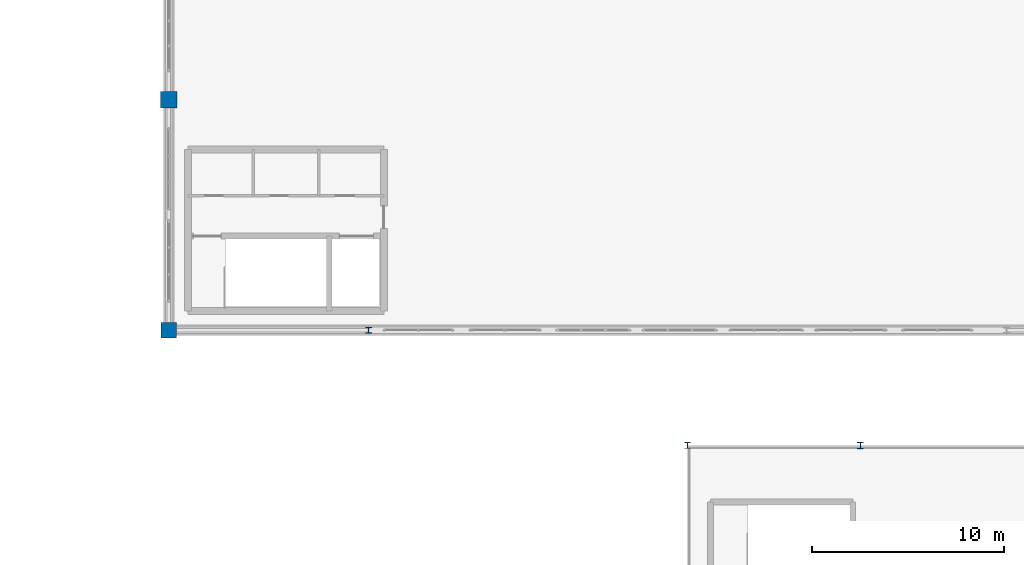
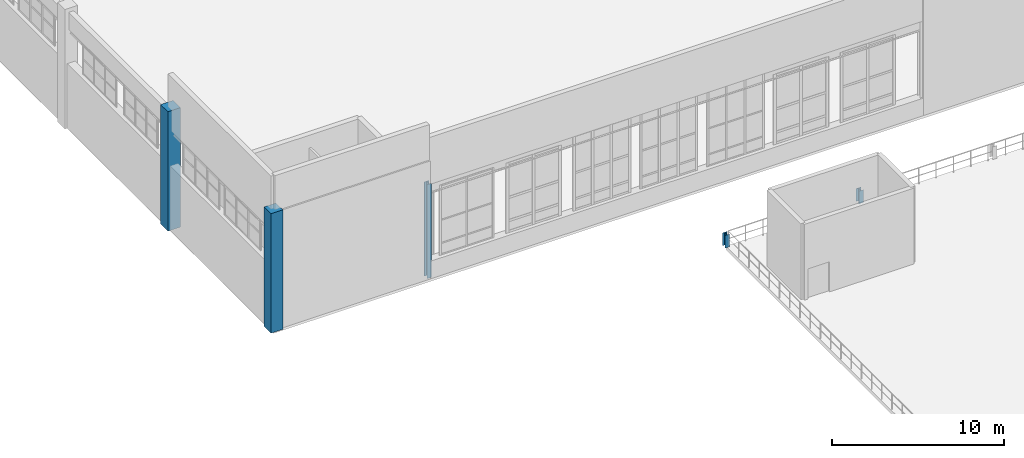
# One storey, part 2 of 97: 5 columns.
"""IFC4 building model written with IfcOpenShell, lengths in metres."""

from ifc_helpers import new_model, si_unit, derived_unit, direction, frame, origin, origin_2d, place, context, subcontext, project, spatial, rectangle, i_section, extrude, material, material_profile, profile_set, type_object, element, save


model = new_model("IFC4")

# Units and contexts
model_context = context("Model", 3, precision=1e-05, world=origin(), true_north=direction((0.0, 1.0)))
body_context = subcontext(model_context, "Body", "Model", "MODEL_VIEW")
ifc_project = project(units=[si_unit("LENGTHUNIT", "METRE"), si_unit("AREAUNIT", "SQUARE_METRE"), si_unit("VOLUMEUNIT", "CUBIC_METRE"), si_unit("PLANEANGLEUNIT", "RADIAN"), si_unit("MASSUNIT", "GRAM", prefix="KILO"), derived_unit("THERMALTRANSMITTANCEUNIT", [(si_unit("POWERUNIT", "WATT"), 1), (si_unit("LENGTHUNIT", "METRE"), -2), (si_unit("THERMODYNAMICTEMPERATUREUNIT", "KELVIN"), -1)])], contexts=[model_context])

# Site, building, storey
site_placement = place(None, origin())
site = spatial("IfcSite", under=ifc_project, at=site_placement, CompositionType="ELEMENT")
building_placement = place(site_placement, origin())
building = spatial("IfcBuilding", under=site, at=building_placement, Name="Almenara Railside Exhibition Hall", CompositionType="ELEMENT")
storey_placement = place(building_placement, frame((0.0, 0.0, 10.800048828125)))
storey = spatial("IfcBuildingStorey", under=building, at=storey_placement, Name="L02", CompositionType="ELEMENT", Elevation=10.800048828125)

# Columns
ifc_material_1 = material(Name="Concrete C40/50", Category="concrete")
ifc_material_profile_1 = material_profile(ifc_material_1, rectangle(XDim=0.800048828125, YDim=0.800048828125, at=origin_2d()), Name="RC 800x800")
ifc_profile_set_1 = profile_set([ifc_material_profile_1], Name="Concrete C40/50")
column_type_1 = type_object("IfcColumnType", Name="RC Column 800x800 C40/50", PredefinedType="COLUMN", material=ifc_profile_set_1)
column_1_placement = place(storey_placement, frame((12.0, 48.0, 0.0), z_axis=(0.0, 0.0, 1.0), x_axis=(1.0, 0.0, 0.0)))
element("IfcColumn", 1, at=column_1_placement, inside=storey, type_object=column_type_1, Name="Column 0003", PredefinedType="COLUMN", context=body_context, shape_type="SweptSolid", body=[
    extrude(rectangle(XDim=0.800048828125, YDim=0.800048828125, at=origin_2d()), origin(), (0.0, 0.0, 1.0), 8.5),
])
ifc_material_profile_2 = material_profile(ifc_material_1, rectangle(XDim=0.85009765625, YDim=0.85009765625, at=origin_2d()), Name="RC 850x850")
ifc_profile_set_2 = profile_set([ifc_material_profile_2], Name="Concrete C40/50")
column_type_2 = type_object("IfcColumnType", Name="RC Column 850x850 C40/50", PredefinedType="COLUMN", material=ifc_profile_set_2)
column_2_placement = place(storey_placement, frame((12.0, 60.0, 0.0), z_axis=(0.0, 0.0, 1.0), x_axis=(1.0, 0.0, 0.0)))
element("IfcColumn", 2, at=column_2_placement, inside=storey, type_object=column_type_2, Name="Column 0015", PredefinedType="COLUMN", context=body_context, shape_type="SweptSolid", body=[
    extrude(rectangle(XDim=0.85009765625, YDim=0.85009765625, at=origin_2d()), origin(), (0.0, 0.0, 1.0), 8.5),
])
ifc_material_2 = material(Name="Structural steel S355JR", Category="steel")
ifc_material_profile_3 = material_profile(ifc_material_2, i_section(OverallWidth=0.307373046875, OverallDepth=0.314453125, WebThickness=0.011962890625, FlangeThickness=0.018798828125, FilletRadius=0.01513671875, at=origin_2d()), Name="UC 305x305x118")
ifc_profile_set_3 = profile_set([ifc_material_profile_3], Name="Structural steel S355JR")
column_type_3 = type_object("IfcColumnType", Name="Steel Column UC 305x305x118 S355JR", PredefinedType="COLUMN", material=ifc_profile_set_3)
column_3_placement = place(storey_placement, frame((39.0, 42.0, 0.0), z_axis=(0.0, 0.0, 1.0), x_axis=(1.0, 0.0, 0.0)))
element("IfcColumn", 3, at=column_3_placement, inside=storey, type_object=column_type_3, Name="Column 0166", PredefinedType="COLUMN", context=body_context, shape_type="SweptSolid", body=[
    extrude(i_section(OverallWidth=0.307373046875, OverallDepth=0.314453125, WebThickness=0.011962890625, FlangeThickness=0.018798828125, FilletRadius=0.01513671875, at=origin_2d()), origin(), (0.0, 0.0, 1.0), 0.89990234375),
])
ifc_material_profile_4 = material_profile(ifc_material_2, i_section(OverallWidth=0.311279296875, OverallDepth=0.3271484375, WebThickness=0.015869140625, FlangeThickness=0.02490234375, FilletRadius=0.01513671875, at=origin_2d()), Name="UC 305x305x158")
ifc_profile_set_4 = profile_set([ifc_material_profile_4], Name="Structural steel S355JR")
column_type_4 = type_object("IfcColumnType", Name="Steel Column UC 305x305x158 S355JR", PredefinedType="COLUMN", material=ifc_profile_set_4)
column_4_placement = place(storey_placement, frame((22.39990234375, 48.0, 0.0), z_axis=(0.0, 0.0, 1.0), x_axis=(1.0, 0.0, 0.0)))
element("IfcColumn", 4, at=column_4_placement, inside=storey, type_object=column_type_4, Name="Column 0009", PredefinedType="COLUMN", context=body_context, shape_type="SweptSolid", body=[
    extrude(i_section(OverallWidth=0.311279296875, OverallDepth=0.3271484375, WebThickness=0.015869140625, FlangeThickness=0.02490234375, FilletRadius=0.01513671875, at=origin_2d()), origin(), (0.0, 0.0, 1.0), 6.699951171875),
])
column_5_placement = place(storey_placement, frame((48.0, 42.0, 0.0), z_axis=(0.0, 0.0, 1.0), x_axis=(1.0, 0.0, 0.0)))
element("IfcColumn", 5, at=column_5_placement, inside=storey, type_object=column_type_4, Name="Column 0174", PredefinedType="COLUMN", context=body_context, shape_type="SweptSolid", body=[
    extrude(i_section(OverallWidth=0.311279296875, OverallDepth=0.3271484375, WebThickness=0.015869140625, FlangeThickness=0.02490234375, FilletRadius=0.01513671875, at=origin_2d()), origin(), (0.0, 0.0, 1.0), 0.89990234375),
])

save(model, "model.ifc")
